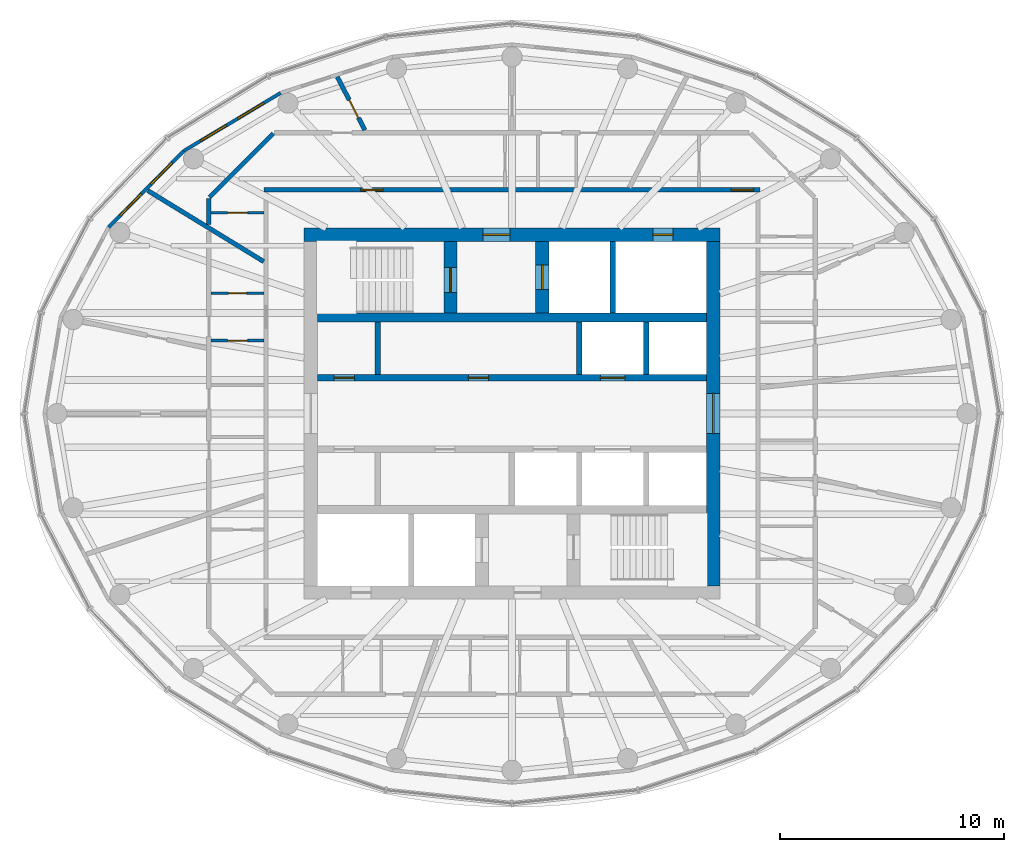
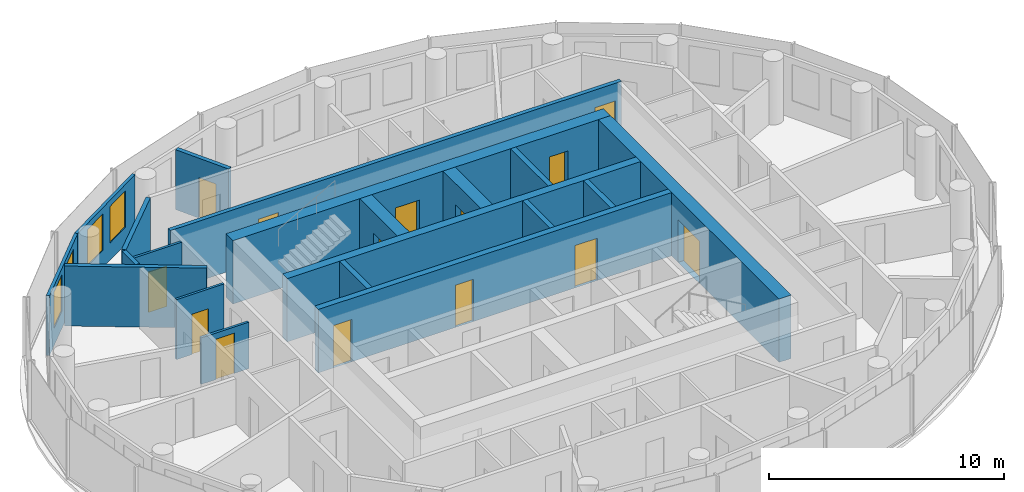
# One storey, part 7 of 11: 20 walls, 14 doors, 4 windows, 18 openings.
"""IFC4 building model written with IfcOpenShell, lengths in metres."""

from ifc_helpers import new_model, si_unit, direction, frame, frame_2d, origin, place, context, subcontext, project, spatial, rectangle, extrude, material, layer, layer_set, type_object, element, fill, save


model = new_model("IFC4")

# Units and contexts
model_context = context("Model", 3, precision=1e-05, world=origin(), true_north=direction((0.0, 1.0)))
body_context = subcontext(model_context, "Body", "Model", "MODEL_VIEW")
ifc_project = project(units=[si_unit("LENGTHUNIT", "METRE"), si_unit("AREAUNIT", "SQUARE_METRE"), si_unit("VOLUMEUNIT", "CUBIC_METRE"), si_unit("PLANEANGLEUNIT", "RADIAN"), si_unit("MASSUNIT", "GRAM", prefix="KILO")], contexts=[model_context])

# Site, building, storey
site_placement = place(None, origin())
site = spatial("IfcSite", under=ifc_project, at=site_placement, CompositionType="ELEMENT")
building_placement = place(site_placement, origin())
building = spatial("IfcBuilding", under=site, at=building_placement, Name="Hankou Lantern Tower", CompositionType="ELEMENT")
storey_placement = place(building_placement, frame((0.0, 0.0, 209.39990234375)))
storey = spatial("IfcBuildingStorey", under=building, at=storey_placement, Name="L56", CompositionType="ELEMENT", Elevation=209.39990234375)

# Wall, openings, doors
ifc_material_1 = material(Name="Concrete C60", Category="concrete")
ifc_layer_1 = layer(ifc_material_1, 0.60009765625)
ifc_layer_set_1 = layer_set([ifc_layer_1], Name="Concrete C60")
wall_type_1 = type_object("IfcWallType", Name="CW3 CORE WALL 600", PredefinedType="SHEAR", material=ifc_layer_set_1)
wall_1_placement = place(storey_placement, frame((-9.300048828125, 8.0, 0.0), z_axis=(0.0, 0.0, 1.0), x_axis=(1.0, 0.0, 0.0)))
wall_1 = element("IfcWall", 1, at=wall_1_placement, inside=storey, type_object=wall_type_1, Name="Core wall north L56", PredefinedType="SHEAR", context=body_context, shape_type="SweptSolid", body=[
    extrude(rectangle(XDim=18.60009765625, YDim=0.60009765625, at=frame_2d((9.300048828125, 0.0))), origin(), (0.0, 0.0, 1.0), 3.300048828125),
])
opening_1_placement = place(wall_1_placement, frame((8.0, 0.0, 0.0)))
opening_1 = element("IfcOpeningElement", 2, at=opening_1_placement, cuts=wall_1, Name="Opening D5", PredefinedType="OPENING", context=body_context, shape_type="SweptSolid", body=[
    extrude(rectangle(XDim=1.199951171875, YDim=2.199951171875, at=frame_2d((0.60009765625, 1.10009765625))), frame((0.0, 0.31005859375, 0.0), z_axis=(0.0, -1.0, 0.0), x_axis=(1.0, 0.0, 0.0)), (0.0, 0.0, 1.0), 0.6201171875),
])
opening_2_placement = place(wall_1_placement, frame((15.60009765625, 0.0, 0.0)))
opening_2 = element("IfcOpeningElement", 3, at=opening_2_placement, cuts=wall_1, Name="Opening D7", PredefinedType="OPENING", context=body_context, shape_type="SweptSolid", body=[
    extrude(rectangle(XDim=0.89990234375, YDim=2.199951171875, at=frame_2d((0.449951171875, 1.10009765625))), frame((0.0, 0.31005859375, 0.0), z_axis=(0.0, -1.0, 0.0), x_axis=(1.0, 0.0, 0.0)), (0.0, 0.0, 1.0), 0.6201171875),
])
ifc_material_2 = material(Name="Steel door leaf", Category="steel")
door_type_1 = type_object("IfcDoorType", Name="D5 STAIR LOBBY DOOR 1200X2200", OperationType="SINGLE_SWING_LEFT", PredefinedType="DOOR", material=ifc_material_2)
door_1_placement = place(opening_1_placement, origin())
door_1 = element("IfcDoor", 4, at=door_1_placement, inside=storey, type_object=door_type_1, Name="Stair A lobby door", OperationType="SINGLE_SWING_LEFT", OverallHeight=2.199951171875, OverallWidth=1.199951171875, PredefinedType="DOOR", context=body_context, shape_type="SweptSolid", body=[
    extrude(rectangle(XDim=1.199951171875, YDim=2.199951171875, at=frame_2d((0.60009765625, 1.10009765625))), frame((0.0, 0.02490234375, 0.0), z_axis=(0.0, -1.0, 0.0), x_axis=(1.0, 0.0, 0.0)), (0.0, 0.0, 1.0), 0.050048828125),
])
fill(opening_1, door_1)
ifc_material_3 = material(Name="Steel door leaf", Category="steel")
door_type_2 = type_object("IfcDoorType", Name="D7 RISER DOOR 900X2200", OperationType="SINGLE_SWING_LEFT", PredefinedType="DOOR", material=ifc_material_3)
door_2_placement = place(opening_2_placement, origin())
door_2 = element("IfcDoor", 5, at=door_2_placement, inside=storey, type_object=door_type_2, Name="Riser N1 door", OperationType="SINGLE_SWING_RIGHT", OverallHeight=2.199951171875, OverallWidth=0.89990234375, PredefinedType="DOOR", context=body_context, shape_type="SweptSolid", body=[
    extrude(rectangle(XDim=0.89990234375, YDim=2.199951171875, at=frame_2d((0.449951171875, 1.10009765625))), frame((0.0, 0.02490234375, 0.0), z_axis=(0.0, -1.0, 0.0), x_axis=(1.0, 0.0, 0.0)), (0.0, 0.0, 1.0), 0.050048828125),
])
fill(opening_2, door_2)

# Wall, opening, door
wall_2_placement = place(storey_placement, frame((9.0, -7.699951171875, 0.0), z_axis=(0.0, 0.0, 1.0), x_axis=(0.0, 1.0, 0.0)))
wall_2 = element("IfcWall", 6, at=wall_2_placement, inside=storey, type_object=wall_type_1, Name="Core wall east L56", PredefinedType="SHEAR", context=body_context, shape_type="SweptSolid", body=[
    extrude(rectangle(XDim=15.39990234375, YDim=0.60009765625, at=frame_2d((7.699951171875, 0.0))), origin(), (0.0, 0.0, 1.0), 3.300048828125),
])
opening_3_placement = place(wall_2_placement, frame((6.800048828125, 0.0, 0.0)))
opening_3 = element("IfcOpeningElement", 7, at=opening_3_placement, cuts=wall_2, Name="Opening D6", PredefinedType="OPENING", context=body_context, shape_type="SweptSolid", body=[
    extrude(rectangle(XDim=1.800048828125, YDim=2.199951171875, at=frame_2d((0.89990234375, 1.10009765625))), frame((0.0, 0.31005859375, 0.0), z_axis=(0.0, -1.0, 0.0), x_axis=(1.0, 0.0, 0.0)), (0.0, 0.0, 1.0), 0.6201171875),
])
ifc_material_4 = material(Name="Steel door leaf", Category="steel")
door_type_3 = type_object("IfcDoorType", Name="D6 LIFT LOBBY DOOR 1800X2200", OperationType="DOUBLE_DOOR_DOUBLE_SWING", PredefinedType="DOOR", material=ifc_material_4)
door_3_placement = place(opening_3_placement, origin())
door_3 = element("IfcDoor", 8, at=door_3_placement, inside=storey, type_object=door_type_3, Name="Lift lobby east door", OperationType="DOUBLE_DOOR_DOUBLE_SWING", OverallHeight=2.199951171875, OverallWidth=1.800048828125, PredefinedType="DOOR", context=body_context, shape_type="SweptSolid", body=[
    extrude(rectangle(XDim=1.800048828125, YDim=2.199951171875, at=frame_2d((0.89990234375, 1.10009765625))), frame((0.0, 0.02490234375, 0.0), z_axis=(0.0, -1.0, 0.0), x_axis=(1.0, 0.0, 0.0)), (0.0, 0.0, 1.0), 0.050048828125),
])
fill(opening_3, door_3)

# Wall
ifc_material_5 = material(Name="Concrete C60", Category="concrete")
ifc_layer_2 = layer(ifc_material_5, 0.39990234375)
ifc_layer_set_2 = layer_set([ifc_layer_2], Name="Concrete C60")
wall_type_2 = type_object("IfcWallType", Name="CW4 CORE CROSS WALL 400", PredefinedType="SHEAR", material=ifc_layer_set_2)
wall_3_placement = place(storey_placement, frame((-8.699951171875, 4.300048828125, 0.0), z_axis=(0.0, 0.0, 1.0), x_axis=(1.0, 0.0, 0.0)))
element("IfcWall", 9, at=wall_3_placement, inside=storey, type_object=wall_type_2, Name="Core band wall north L56", PredefinedType="SHEAR", context=body_context, shape_type="SweptSolid", body=[
    extrude(rectangle(XDim=17.39990234375, YDim=0.39990234375, at=frame_2d((8.699951171875, 0.0))), origin(), (0.0, 0.0, 1.0), 3.300048828125),
])

# Wall, openings, doors
ifc_material_6 = material(Name="Concrete C60", Category="concrete")
ifc_layer_3 = layer(ifc_material_6, 0.300048828125)
ifc_layer_set_3 = layer_set([ifc_layer_3], Name="Concrete C60")
wall_type_3 = type_object("IfcWallType", Name="CW5 LIFT LOBBY WALL 300", PredefinedType="SHEAR", material=ifc_layer_set_3)
wall_4_placement = place(storey_placement, frame((-8.699951171875, 1.60009765625, 0.0), z_axis=(0.0, 0.0, 1.0), x_axis=(1.0, 0.0, 0.0)))
wall_4 = element("IfcWall", 10, at=wall_4_placement, inside=storey, type_object=wall_type_3, Name="Lift lobby wall north L56", PredefinedType="SHEAR", context=body_context, shape_type="SweptSolid", body=[
    extrude(rectangle(XDim=17.39990234375, YDim=0.300048828125, at=frame_2d((8.699951171875, 0.0))), origin(), (0.0, 0.0, 1.0), 3.300048828125),
])
opening_4_placement = place(wall_4_placement, frame((12.64990234375, 0.0, 0.0)))
opening_4 = element("IfcOpeningElement", 11, at=opening_4_placement, cuts=wall_4, Name="Opening LD1", PredefinedType="OPENING", context=body_context, shape_type="SweptSolid", body=[
    extrude(rectangle(XDim=1.10009765625, YDim=2.199951171875, at=frame_2d((0.550048828125, 1.10009765625))), frame((0.0, 0.159912109375, 0.0), z_axis=(0.0, -1.0, 0.0), x_axis=(1.0, 0.0, 0.0)), (0.0, 0.0, 1.0), 0.320068359375),
])
opening_5_placement = place(wall_4_placement, frame((0.75, 0.0, 0.0)))
opening_5 = element("IfcOpeningElement", 12, at=opening_5_placement, cuts=wall_4, Name="Opening D30", PredefinedType="OPENING", context=body_context, shape_type="SweptSolid", body=[
    extrude(rectangle(XDim=0.89990234375, YDim=2.199951171875, at=frame_2d((0.449951171875, 1.10009765625))), frame((0.0, 0.159912109375, 0.0), z_axis=(0.0, -1.0, 0.0), x_axis=(1.0, 0.0, 0.0)), (0.0, 0.0, 1.0), 0.320068359375),
])
opening_6_placement = place(wall_4_placement, frame((6.75, 0.0, 0.0)))
opening_6 = element("IfcOpeningElement", 13, at=opening_6_placement, cuts=wall_4, Name="Opening D30", PredefinedType="OPENING", context=body_context, shape_type="SweptSolid", body=[
    extrude(rectangle(XDim=0.89990234375, YDim=2.199951171875, at=frame_2d((0.449951171875, 1.10009765625))), frame((0.0, 0.159912109375, 0.0), z_axis=(0.0, -1.0, 0.0), x_axis=(1.0, 0.0, 0.0)), (0.0, 0.0, 1.0), 0.320068359375),
])
ifc_material_7 = material(Name="Steel door leaf", Category="steel")
door_type_4 = type_object("IfcDoorType", Name="D30 CORE ROOM DOOR 900X2200", OperationType="SINGLE_SWING_LEFT", PredefinedType="DOOR", material=ifc_material_7)
door_4_placement = place(opening_5_placement, origin())
door_4 = element("IfcDoor", 14, at=door_4_placement, inside=storey, type_object=door_type_4, Name="Engineering store door", OperationType="SINGLE_SWING_LEFT", OverallHeight=2.199951171875, OverallWidth=0.89990234375, PredefinedType="DOOR", context=body_context, shape_type="SweptSolid", body=[
    extrude(rectangle(XDim=0.89990234375, YDim=2.199951171875, at=frame_2d((0.449951171875, 1.10009765625))), frame((0.0, 0.02490234375, 0.0), z_axis=(0.0, -1.0, 0.0), x_axis=(1.0, 0.0, 0.0)), (0.0, 0.0, 1.0), 0.050048828125),
])
fill(opening_5, door_4)
door_5_placement = place(opening_6_placement, origin())
door_5 = element("IfcDoor", 15, at=door_5_placement, inside=storey, type_object=door_type_4, Name="Housekeeping and linen store door", OperationType="SINGLE_SWING_LEFT", OverallHeight=2.199951171875, OverallWidth=0.89990234375, PredefinedType="DOOR", context=body_context, shape_type="SweptSolid", body=[
    extrude(rectangle(XDim=0.89990234375, YDim=2.199951171875, at=frame_2d((0.449951171875, 1.10009765625))), frame((0.0, 0.02490234375, 0.0), z_axis=(0.0, -1.0, 0.0), x_axis=(1.0, 0.0, 0.0)), (0.0, 0.0, 1.0), 0.050048828125),
])
fill(opening_6, door_5)
ifc_material_8 = material(Name="Steel door leaf", Category="steel")
door_type_5 = type_object("IfcDoorType", Name="LD1 LIFT LANDING DOOR 1100X2200", OperationType="DOUBLE_DOOR_SLIDING", PredefinedType="DOOR", material=ifc_material_8)
door_6_placement = place(opening_4_placement, origin())
door_6 = element("IfcDoor", 16, at=door_6_placement, inside=storey, type_object=door_type_5, Name="Lift T1 landing door", OperationType="DOUBLE_DOOR_SLIDING", OverallHeight=2.199951171875, OverallWidth=1.10009765625, PredefinedType="DOOR", context=body_context, shape_type="SweptSolid", body=[
    extrude(rectangle(XDim=1.10009765625, YDim=2.199951171875, at=frame_2d((0.550048828125, 1.10009765625))), frame((0.0, 0.02490234375, 0.0), z_axis=(0.0, -1.0, 0.0), x_axis=(1.0, 0.0, 0.0)), (0.0, 0.0, 1.0), 0.050048828125),
])
fill(opening_4, door_6)

# Wall, opening, door
ifc_material_9 = material(Name="Concrete C60", Category="concrete")
ifc_layer_4 = layer(ifc_material_9, 0.60009765625)
ifc_layer_set_4 = layer_set([ifc_layer_4], Name="Concrete C60")
wall_type_4 = type_object("IfcWallType", Name="CW6 STAIR AND SHAFT WALL 600", PredefinedType="SHEAR", material=ifc_layer_set_4)
wall_5_placement = place(storey_placement, frame((-2.75, 4.5, 0.0), z_axis=(0.0, 0.0, 1.0), x_axis=(0.0, 1.0, 0.0)))
wall_5 = element("IfcWall", 17, at=wall_5_placement, inside=storey, type_object=wall_type_4, Name="Stair wall L56", PredefinedType="SHEAR", context=body_context, shape_type="SweptSolid", body=[
    extrude(rectangle(XDim=3.199951171875, YDim=0.60009765625, at=frame_2d((1.60009765625, 0.0))), origin(), (0.0, 0.0, 1.0), 3.300048828125),
])
opening_7_placement = place(wall_5_placement, frame((0.925048828125, 0.0, 0.0)))
opening_7 = element("IfcOpeningElement", 18, at=opening_7_placement, cuts=wall_5, Name="Opening D4", PredefinedType="OPENING", context=body_context, shape_type="SweptSolid", body=[
    extrude(rectangle(XDim=1.10009765625, YDim=2.199951171875, at=frame_2d((0.550048828125, 1.10009765625))), frame((0.0, 0.31005859375, 0.0), z_axis=(0.0, -1.0, 0.0), x_axis=(1.0, 0.0, 0.0)), (0.0, 0.0, 1.0), 0.6201171875),
])
ifc_material_10 = material(Name="Steel door leaf", Category="steel")
door_type_6 = type_object("IfcDoorType", Name="D4 STAIR DOOR 1100X2200", OperationType="SINGLE_SWING_LEFT", PredefinedType="DOOR", material=ifc_material_10)
door_7_placement = place(opening_7_placement, origin())
door_7 = element("IfcDoor", 19, at=door_7_placement, inside=storey, type_object=door_type_6, Name="Stair A door", OperationType="SINGLE_SWING_LEFT", OverallHeight=2.199951171875, OverallWidth=1.10009765625, PredefinedType="DOOR", context=body_context, shape_type="SweptSolid", body=[
    extrude(rectangle(XDim=1.10009765625, YDim=2.199951171875, at=frame_2d((0.550048828125, 1.10009765625))), frame((0.0, 0.02490234375, 0.0), z_axis=(0.0, -1.0, 0.0), x_axis=(1.0, 0.0, 0.0)), (0.0, 0.0, 1.0), 0.050048828125),
])
fill(opening_7, door_7)

wall_6_placement = place(storey_placement, frame((1.35009765625, 4.5, 0.0), z_axis=(0.0, 0.0, 1.0), x_axis=(0.0, 1.0, 0.0)))
wall_6 = element("IfcWall", 20, at=wall_6_placement, inside=storey, type_object=wall_type_4, Name="Firefighting lift shaft wall L56", PredefinedType="SHEAR", context=body_context, shape_type="SweptSolid", body=[
    extrude(rectangle(XDim=3.199951171875, YDim=0.60009765625, at=frame_2d((1.60009765625, 0.0))), origin(), (0.0, 0.0, 1.0), 3.300048828125),
])
opening_8_placement = place(wall_6_placement, frame((1.050048828125, 0.0, 0.0)))
opening_8 = element("IfcOpeningElement", 21, at=opening_8_placement, cuts=wall_6, Name="Opening LD2", PredefinedType="OPENING", context=body_context, shape_type="SweptSolid", body=[
    extrude(rectangle(XDim=1.10009765625, YDim=2.199951171875, at=frame_2d((0.550048828125, 1.10009765625))), frame((0.0, 0.31005859375, 0.0), z_axis=(0.0, -1.0, 0.0), x_axis=(1.0, 0.0, 0.0)), (0.0, 0.0, 1.0), 0.6201171875),
])
ifc_material_11 = material(Name="Steel door leaf", Category="steel")
door_type_7 = type_object("IfcDoorType", Name="LD2 FIREFIGHTING LIFT LANDING DOOR 1100X2200", OperationType="DOUBLE_DOOR_SLIDING", PredefinedType="DOOR", material=ifc_material_11)
door_8_placement = place(opening_8_placement, origin())
door_8 = element("IfcDoor", 22, at=door_8_placement, inside=storey, type_object=door_type_7, Name="Firefighting lift FL1 landing door", OperationType="DOUBLE_DOOR_SLIDING", OverallHeight=2.199951171875, OverallWidth=1.10009765625, PredefinedType="DOOR", context=body_context, shape_type="SweptSolid", body=[
    extrude(rectangle(XDim=1.10009765625, YDim=2.199951171875, at=frame_2d((0.550048828125, 1.10009765625))), frame((0.0, 0.02490234375, 0.0), z_axis=(0.0, -1.0, 0.0), x_axis=(1.0, 0.0, 0.0)), (0.0, 0.0, 1.0), 0.050048828125),
])
fill(opening_8, door_8)

# Wall, openings, windows
ifc_material_12 = material(Name="Aluminium spandrel panel on steel studs", Category="steel")
ifc_layer_5 = layer(ifc_material_12, 0.14990234375)
ifc_layer_set_5 = layer_set([ifc_layer_5], Name="Aluminium spandrel panel on steel studs")
wall_type_5 = type_object("IfcWallType", Name="EW1 INNER SKIN WALL 150", PredefinedType="ELEMENTEDWALL", material=ifc_layer_set_5)
wall_7_placement = place(storey_placement, frame((-10.346435546875, 14.33642578125, 0.0), z_axis=(0.0, 0.0, 1.0), x_axis=(-0.85822150553, -0.513279502265, 0.0)))
wall_7 = element("IfcWall", 23, at=wall_7_placement, inside=storey, type_object=wall_type_5, Name="Inner skin R09-R10 L56", PredefinedType="ELEMENTEDWALL", context=body_context, shape_type="SweptSolid", body=[
    extrude(rectangle(XDim=5.050048828125, YDim=0.14990234375, at=frame_2d((2.52490234375, 0.0))), origin(), (0.0, 0.0, 1.0), 3.1201171875),
])
opening_9_placement = place(wall_7_placement, frame((0.875, 0.0, 0.89990234375)))
opening_9 = element("IfcOpeningElement", 24, at=opening_9_placement, cuts=wall_7, Name="Opening W4", PredefinedType="OPENING", context=body_context, shape_type="SweptSolid", body=[
    extrude(rectangle(XDim=1.35009765625, YDim=1.89990234375, at=frame_2d((0.675048828125, 0.949951171875))), frame((0.0, 0.0849609375, 0.0), z_axis=(0.0, -1.0, 0.0), x_axis=(1.0, 0.0, 0.0)), (0.0, 0.0, 1.0), 0.169921875),
])
opening_10_placement = place(wall_7_placement, frame((2.824951171875, 0.0, 0.89990234375)))
opening_10 = element("IfcOpeningElement", 25, at=opening_10_placement, cuts=wall_7, Name="Opening W4", PredefinedType="OPENING", context=body_context, shape_type="SweptSolid", body=[
    extrude(rectangle(XDim=1.35009765625, YDim=1.89990234375, at=frame_2d((0.675048828125, 0.949951171875))), frame((0.0, 0.0849609375, 0.0), z_axis=(0.0, -1.0, 0.0), x_axis=(1.0, 0.0, 0.0)), (0.0, 0.0, 1.0), 0.169921875),
])
ifc_material_13 = material(Name="Aluminium framed double glazed window", Category="aluminium")
window_type = type_object("IfcWindowType", Name="W4 SUITE WINDOW 1350X1900", PartitioningType="DOUBLE_PANEL_VERTICAL", PredefinedType="WINDOW", material=ifc_material_13)
window_1_placement = place(opening_9_placement, origin())
window_1 = element("IfcWindow", 26, at=window_1_placement, inside=storey, type_object=window_type, Name="Window R09.1 L56", OverallHeight=1.89990234375, OverallWidth=1.35009765625, PartitioningType="SINGLE_PANEL", PredefinedType="WINDOW", context=body_context, shape_type="SweptSolid", body=[
    extrude(rectangle(XDim=1.35009765625, YDim=1.89990234375, at=frame_2d((0.675048828125, 0.949951171875))), frame((0.0, 0.030029296875, 0.0), z_axis=(0.0, -1.0, 0.0), x_axis=(1.0, 0.0, 0.0)), (0.0, 0.0, 1.0), 0.06005859375),
])
fill(opening_9, window_1)
window_2_placement = place(opening_10_placement, origin())
window_2 = element("IfcWindow", 27, at=window_2_placement, inside=storey, type_object=window_type, Name="Window R09.2 L56", OverallHeight=1.89990234375, OverallWidth=1.35009765625, PartitioningType="SINGLE_PANEL", PredefinedType="WINDOW", context=body_context, shape_type="SweptSolid", body=[
    extrude(rectangle(XDim=1.35009765625, YDim=1.89990234375, at=frame_2d((0.675048828125, 0.949951171875))), frame((0.0, 0.030029296875, 0.0), z_axis=(0.0, -1.0, 0.0), x_axis=(1.0, 0.0, 0.0)), (0.0, 0.0, 1.0), 0.06005859375),
])
fill(opening_10, window_2)

wall_8_placement = place(storey_placement, frame((-14.680419921875, 11.744384765625, 0.0), z_axis=(0.0, 0.0, 1.0), x_axis=(-0.701527379618, -0.712642501993, 0.0)))
wall_8 = element("IfcWall", 28, at=wall_8_placement, inside=storey, type_object=wall_type_5, Name="Inner skin R10-R11 L56", PredefinedType="ELEMENTEDWALL", context=body_context, shape_type="SweptSolid", body=[
    extrude(rectangle(XDim=4.788330078125, YDim=0.14990234375, at=frame_2d((2.39404296875, 0.0))), origin(), (0.0, 0.0, 1.0), 3.1201171875),
])
opening_11_placement = place(wall_8_placement, frame((0.744140625, 0.0, 0.89990234375)))
opening_11 = element("IfcOpeningElement", 29, at=opening_11_placement, cuts=wall_8, Name="Opening W4", PredefinedType="OPENING", context=body_context, shape_type="SweptSolid", body=[
    extrude(rectangle(XDim=1.35009765625, YDim=1.89990234375, at=frame_2d((0.675048828125, 0.949951171875))), frame((0.0, 0.0849609375, 0.0), z_axis=(0.0, -1.0, 0.0), x_axis=(1.0, 0.0, 0.0)), (0.0, 0.0, 1.0), 0.169921875),
])
opening_12_placement = place(wall_8_placement, frame((2.694091796875, 0.0, 0.89990234375)))
opening_12 = element("IfcOpeningElement", 30, at=opening_12_placement, cuts=wall_8, Name="Opening W4", PredefinedType="OPENING", context=body_context, shape_type="SweptSolid", body=[
    extrude(rectangle(XDim=1.35009765625, YDim=1.89990234375, at=frame_2d((0.675048828125, 0.949951171875))), frame((0.0, 0.0849609375, 0.0), z_axis=(0.0, -1.0, 0.0), x_axis=(1.0, 0.0, 0.0)), (0.0, 0.0, 1.0), 0.169921875),
])
window_3_placement = place(opening_11_placement, origin())
window_3 = element("IfcWindow", 31, at=window_3_placement, inside=storey, type_object=window_type, Name="Window R10.1 L56", OverallHeight=1.89990234375, OverallWidth=1.35009765625, PartitioningType="SINGLE_PANEL", PredefinedType="WINDOW", context=body_context, shape_type="SweptSolid", body=[
    extrude(rectangle(XDim=1.35009765625, YDim=1.89990234375, at=frame_2d((0.675048828125, 0.949951171875))), frame((0.0, 0.030029296875, 0.0), z_axis=(0.0, -1.0, 0.0), x_axis=(1.0, 0.0, 0.0)), (0.0, 0.0, 1.0), 0.06005859375),
])
fill(opening_11, window_3)
window_4_placement = place(opening_12_placement, origin())
window_4 = element("IfcWindow", 32, at=window_4_placement, inside=storey, type_object=window_type, Name="Window R10.2 L56", OverallHeight=1.89990234375, OverallWidth=1.35009765625, PartitioningType="SINGLE_PANEL", PredefinedType="WINDOW", context=body_context, shape_type="SweptSolid", body=[
    extrude(rectangle(XDim=1.35009765625, YDim=1.89990234375, at=frame_2d((0.675048828125, 0.949951171875))), frame((0.0, 0.030029296875, 0.0), z_axis=(0.0, -1.0, 0.0), x_axis=(1.0, 0.0, 0.0)), (0.0, 0.0, 1.0), 0.06005859375),
])
fill(opening_12, window_4)

# Wall
ifc_material_14 = material(Name="Masonry lightweight concrete block", Category="masonry")
ifc_layer_6 = layer(ifc_material_14, 0.199951171875)
ifc_layer_set_6 = layer_set([ifc_layer_6], Name="Masonry lightweight concrete block")
wall_type_6 = type_object("IfcWallType", Name="IW1 GUEST ROOM PARTY WALL 200", PredefinedType="PARTITIONING", material=ifc_layer_set_6)
wall_9_placement = place(storey_placement, frame((-11.10009765625, 6.79736328125, 0.0), z_axis=(0.0, 0.0, 1.0), x_axis=(-0.852799818179, 0.522237943963, 0.0)))
element("IfcWall", 33, at=wall_9_placement, inside=storey, type_object=wall_type_6, Name="Party wall R10-R11", PredefinedType="PARTITIONING", context=body_context, shape_type="SweptSolid", body=[
    extrude(rectangle(XDim=6.076904296875, YDim=0.199951171875, at=frame_2d((3.03857421875, 0.0))), origin(), (0.0, 0.0, 1.0), 3.1201171875),
])

# Wall, openings, doors
ifc_material_15 = material(Name="Masonry lightweight concrete block", Category="masonry")
ifc_layer_7 = layer(ifc_material_15, 0.199951171875)
ifc_layer_set_7 = layer_set([ifc_layer_7], Name="Masonry lightweight concrete block")
wall_type_7 = type_object("IfcWallType", Name="IW2 CORRIDOR WALL 200", PredefinedType="PARTITIONING", material=ifc_layer_set_7)
wall_10_placement = place(storey_placement, frame((-11.10009765625, 10.0, 0.0), z_axis=(0.0, 0.0, 1.0), x_axis=(1.0, 0.0, 0.0)))
wall_10 = element("IfcWall", 34, at=wall_10_placement, inside=storey, type_object=wall_type_7, Name="Corridor wall north", PredefinedType="PARTITIONING", context=body_context, shape_type="SweptSolid", body=[
    extrude(rectangle(XDim=22.2001953125, YDim=0.199951171875, at=frame_2d((11.10009765625, 0.0))), origin(), (0.0, 0.0, 1.0), 3.1201171875),
])
opening_13_placement = place(wall_10_placement, frame((20.89990234375, 0.0, 0.0)))
opening_13 = element("IfcOpeningElement", 35, at=opening_13_placement, cuts=wall_10, Name="Opening D2", PredefinedType="OPENING", context=body_context, shape_type="SweptSolid", body=[
    extrude(rectangle(XDim=1.0, YDim=2.199951171875, at=frame_2d((0.5, 1.10009765625))), frame((0.0, 0.10986328125, 0.0), z_axis=(0.0, -1.0, 0.0), x_axis=(1.0, 0.0, 0.0)), (0.0, 0.0, 1.0), 0.219970703125),
])
opening_14_placement = place(wall_10_placement, frame((4.328857421875, 0.0, 0.0)))
opening_14 = element("IfcOpeningElement", 36, at=opening_14_placement, cuts=wall_10, Name="Opening D2", PredefinedType="OPENING", context=body_context, shape_type="SweptSolid", body=[
    extrude(rectangle(XDim=1.0, YDim=2.199951171875, at=frame_2d((0.5, 1.10009765625))), frame((0.0, 0.10986328125, 0.0), z_axis=(0.0, -1.0, 0.0), x_axis=(1.0, 0.0, 0.0)), (0.0, 0.0, 1.0), 0.219970703125),
])
ifc_material_16 = material(Name="Steel door leaf", Category="steel")
door_type_8 = type_object("IfcDoorType", Name="D2 SUITE DOOR 1000X2200", OperationType="SINGLE_SWING_LEFT", PredefinedType="DOOR", material=ifc_material_16)
door_9_placement = place(opening_13_placement, origin())
door_9 = element("IfcDoor", 37, at=door_9_placement, inside=storey, type_object=door_type_8, Name="Suite door 5601", OperationType="SINGLE_SWING_LEFT", OverallHeight=2.199951171875, OverallWidth=1.0, PredefinedType="DOOR", context=body_context, shape_type="SweptSolid", body=[
    extrude(rectangle(XDim=1.0, YDim=2.199951171875, at=frame_2d((0.5, 1.10009765625))), frame((0.0, 0.02490234375, 0.0), z_axis=(0.0, -1.0, 0.0), x_axis=(1.0, 0.0, 0.0)), (0.0, 0.0, 1.0), 0.050048828125),
])
fill(opening_13, door_9)
door_10_placement = place(opening_14_placement, origin())
door_10 = element("IfcDoor", 38, at=door_10_placement, inside=storey, type_object=door_type_8, Name="Suite door 5602", OperationType="SINGLE_SWING_RIGHT", OverallHeight=2.199951171875, OverallWidth=1.0, PredefinedType="DOOR", context=body_context, shape_type="SweptSolid", body=[
    extrude(rectangle(XDim=1.0, YDim=2.199951171875, at=frame_2d((0.5, 1.10009765625))), frame((0.0, 0.02490234375, 0.0), z_axis=(0.0, -1.0, 0.0), x_axis=(1.0, 0.0, 0.0)), (0.0, 0.0, 1.0), 0.050048828125),
])
fill(opening_14, door_10)

# Wall, opening, door
ifc_material_17 = material(Name="Masonry lightweight concrete block", Category="masonry")
ifc_layer_8 = layer(ifc_material_17, 0.1201171875)
ifc_layer_set_8 = layer_set([ifc_layer_8], Name="Masonry lightweight concrete block")
wall_type_8 = type_object("IfcWallType", Name="IW3 BATHROOM WALL 120", PredefinedType="PARTITIONING", material=ifc_layer_set_8)
wall_11_placement = place(storey_placement, frame((-11.10009765625, 8.975830078125, 0.0), z_axis=(0.0, 0.0, 1.0), x_axis=(-1.0, 0.0, 0.0)))
wall_11 = element("IfcWall", 39, at=wall_11_placement, inside=storey, type_object=wall_type_8, Name="Box wall 5602 4", PredefinedType="PARTITIONING", context=body_context, shape_type="SweptSolid", body=[
    extrude(rectangle(XDim=2.349853515625, YDim=0.1201171875, at=frame_2d((1.1748046875, 0.0))), origin(), (0.0, 0.0, 1.0), 3.1201171875),
])
opening_15_placement = place(wall_11_placement, frame((0.719970703125, 0.0, 0.0)))
opening_15 = element("IfcOpeningElement", 40, at=opening_15_placement, cuts=wall_11, Name="Opening D27", PredefinedType="OPENING", context=body_context, shape_type="SweptSolid", body=[
    extrude(rectangle(XDim=0.89990234375, YDim=2.10009765625, at=frame_2d((0.449951171875, 1.050048828125))), frame((0.0, 0.070068359375, 0.0), z_axis=(0.0, -1.0, 0.0), x_axis=(1.0, 0.0, 0.0)), (0.0, 0.0, 1.0), 0.14013671875),
])
ifc_material_18 = material(Name="Timber door leaf", Category="wood")
door_type_9 = type_object("IfcDoorType", Name="D27 INTERNAL DOOR 900X2100", OperationType="SINGLE_SWING_LEFT", PredefinedType="DOOR", material=ifc_material_18)
door_11_placement = place(opening_15_placement, origin())
door_11 = element("IfcDoor", 41, at=door_11_placement, inside=storey, type_object=door_type_9, Name="Corner suite 5602 pantry door", OperationType="SINGLE_SWING_LEFT", OverallHeight=2.10009765625, OverallWidth=0.89990234375, PredefinedType="DOOR", context=body_context, shape_type="SweptSolid", body=[
    extrude(rectangle(XDim=0.89990234375, YDim=2.10009765625, at=frame_2d((0.449951171875, 1.050048828125))), frame((0.0, 0.02490234375, 0.0), z_axis=(0.0, -1.0, 0.0), x_axis=(1.0, 0.0, 0.0)), (0.0, 0.0, 1.0), 0.050048828125),
])
fill(opening_15, door_11)

wall_12_placement = place(storey_placement, frame((-11.10009765625, 5.38525390625, 0.0), z_axis=(0.0, 0.0, 1.0), x_axis=(-1.0, 0.0, 0.0)))
wall_12 = element("IfcWall", 42, at=wall_12_placement, inside=storey, type_object=wall_type_8, Name="Box wall 5603 1", PredefinedType="PARTITIONING", context=body_context, shape_type="SweptSolid", body=[
    extrude(rectangle(XDim=2.349853515625, YDim=0.1201171875, at=frame_2d((1.1748046875, 0.0))), origin(), (0.0, 0.0, 1.0), 3.1201171875),
])
opening_16_placement = place(wall_12_placement, frame((0.77001953125, 0.0, 0.0)))
opening_16 = element("IfcOpeningElement", 43, at=opening_16_placement, cuts=wall_12, Name="Opening D3", PredefinedType="OPENING", context=body_context, shape_type="SweptSolid", body=[
    extrude(rectangle(XDim=0.800048828125, YDim=2.10009765625, at=frame_2d((0.39990234375, 1.050048828125))), frame((0.0, 0.070068359375, 0.0), z_axis=(0.0, -1.0, 0.0), x_axis=(1.0, 0.0, 0.0)), (0.0, 0.0, 1.0), 0.14013671875),
])
ifc_material_19 = material(Name="Timber door leaf", Category="wood")
door_type_10 = type_object("IfcDoorType", Name="D3 BATHROOM DOOR 800X2100", OperationType="SINGLE_SWING_LEFT", PredefinedType="DOOR", material=ifc_material_19)
door_12_placement = place(opening_16_placement, origin())
door_12 = element("IfcDoor", 44, at=door_12_placement, inside=storey, type_object=door_type_10, Name="Corner suite 5603 guest WC door", OperationType="SINGLE_SWING_LEFT", OverallHeight=2.10009765625, OverallWidth=0.800048828125, PredefinedType="DOOR", context=body_context, shape_type="SweptSolid", body=[
    extrude(rectangle(XDim=0.800048828125, YDim=2.10009765625, at=frame_2d((0.39990234375, 1.050048828125))), frame((0.0, 0.02490234375, 0.0), z_axis=(0.0, -1.0, 0.0), x_axis=(1.0, 0.0, 0.0)), (0.0, 0.0, 1.0), 0.050048828125),
])
fill(opening_16, door_12)

wall_13_placement = place(storey_placement, frame((-11.10009765625, 3.265380859375, 0.0), z_axis=(0.0, 0.0, 1.0), x_axis=(-1.0, 0.0, 0.0)))
wall_13 = element("IfcWall", 45, at=wall_13_placement, inside=storey, type_object=wall_type_8, Name="Box wall 5603 2", PredefinedType="PARTITIONING", context=body_context, shape_type="SweptSolid", body=[
    extrude(rectangle(XDim=2.349853515625, YDim=0.1201171875, at=frame_2d((1.1748046875, 0.0))), origin(), (0.0, 0.0, 1.0), 2.420166015625),
])
opening_17_placement = place(wall_13_placement, frame((0.719970703125, 0.0, 0.0)))
opening_17 = element("IfcOpeningElement", 46, at=opening_17_placement, cuts=wall_13, Name="Opening D27", PredefinedType="OPENING", context=body_context, shape_type="SweptSolid", body=[
    extrude(rectangle(XDim=0.89990234375, YDim=2.10009765625, at=frame_2d((0.449951171875, 1.050048828125))), frame((0.0, 0.070068359375, 0.0), z_axis=(0.0, -1.0, 0.0), x_axis=(1.0, 0.0, 0.0)), (0.0, 0.0, 1.0), 0.14013671875),
])
door_13_placement = place(opening_17_placement, origin())
door_13 = element("IfcDoor", 47, at=door_13_placement, inside=storey, type_object=door_type_9, Name="Corner suite 5603 walk-in wardrobe door", OperationType="SINGLE_SWING_LEFT", OverallHeight=2.10009765625, OverallWidth=0.89990234375, PredefinedType="DOOR", context=body_context, shape_type="SweptSolid", body=[
    extrude(rectangle(XDim=0.89990234375, YDim=2.10009765625, at=frame_2d((0.449951171875, 1.050048828125))), frame((0.0, 0.02490234375, 0.0), z_axis=(0.0, -1.0, 0.0), x_axis=(1.0, 0.0, 0.0)), (0.0, 0.0, 1.0), 0.050048828125),
])
fill(opening_17, door_13)

# Walls
ifc_material_20 = material(Name="Masonry lightweight concrete block", Category="masonry")
ifc_layer_9 = layer(ifc_material_20, 0.199951171875)
ifc_layer_set_9 = layer_set([ifc_layer_9], Name="Masonry lightweight concrete block")
wall_type_9 = type_object("IfcWallType", Name="IW6 SUITE PARTITION 200", PredefinedType="PARTITIONING", material=ifc_layer_set_9)
wall_14_placement = place(storey_placement, frame((-10.67919921875, 12.520751953125, 0.0), z_axis=(0.0, 0.0, 1.0), x_axis=(-0.707106781187, -0.707106781187, 0.0)))
element("IfcWall", 48, at=wall_14_placement, inside=storey, type_object=wall_type_9, Name="Suite foyer wall 5602", PredefinedType="PARTITIONING", context=body_context, shape_type="SweptSolid", body=[
    extrude(rectangle(XDim=4.0185546875, YDim=0.199951171875, at=frame_2d((2.00927734375, 0.0))), origin(), (0.0, 0.0, 1.0), 3.1201171875),
])
wall_15_placement = place(storey_placement, frame((-13.550048828125, 9.608642578125, 0.0), z_axis=(0.0, 0.0, 1.0), x_axis=(0.0, -1.0, 0.0)))
element("IfcWall", 49, at=wall_15_placement, inside=storey, type_object=wall_type_9, Name="Suite foyer wall 5602", PredefinedType="PARTITIONING", context=body_context, shape_type="SweptSolid", body=[
    extrude(rectangle(XDim=1.152587890625, YDim=0.199951171875, at=frame_2d((0.576171875, 0.0))), origin(), (0.0, 0.0, 1.0), 3.1201171875),
])

# Wall, opening, door
wall_16_placement = place(storey_placement, frame((-6.578125, 12.676513671875, 0.0), z_axis=(0.0, 0.0, 1.0), x_axis=(-0.460620531465, 0.887597164255, 0.0)))
wall_16 = element("IfcWall", 50, at=wall_16_placement, inside=storey, type_object=wall_type_9, Name="Suite partition R08-R09", PredefinedType="PARTITIONING", context=body_context, shape_type="SweptSolid", body=[
    extrude(rectangle(XDim=2.677734375, YDim=0.199951171875, at=frame_2d((1.3388671875, 0.0))), origin(), (0.0, 0.0, 1.0), 3.1201171875),
])
opening_18_placement = place(wall_16_placement, frame((0.6201171875, 0.0, 0.0)))
opening_18 = element("IfcOpeningElement", 51, at=opening_18_placement, cuts=wall_16, Name="Opening D27", PredefinedType="OPENING", context=body_context, shape_type="SweptSolid", body=[
    extrude(rectangle(XDim=0.89990234375, YDim=2.10009765625, at=frame_2d((0.449951171875, 1.050048828125))), frame((0.0, 0.10986328125, 0.0), z_axis=(0.0, -1.0, 0.0), x_axis=(1.0, 0.0, 0.0)), (0.0, 0.0, 1.0), 0.219970703125),
])
door_14_placement = place(opening_18_placement, origin())
door_14 = element("IfcDoor", 52, at=door_14_placement, inside=storey, type_object=door_type_9, Name="Corner suite 5602 dining room door", OperationType="SINGLE_SWING_LEFT", OverallHeight=2.10009765625, OverallWidth=0.89990234375, PredefinedType="DOOR", context=body_context, shape_type="SweptSolid", body=[
    extrude(rectangle(XDim=0.89990234375, YDim=2.10009765625, at=frame_2d((0.449951171875, 1.050048828125))), frame((0.0, 0.02490234375, 0.0), z_axis=(0.0, -1.0, 0.0), x_axis=(1.0, 0.0, 0.0)), (0.0, 0.0, 1.0), 0.050048828125),
])
fill(opening_18, door_14)

# Walls
ifc_material_21 = material(Name="Masonry autoclaved aerated concrete block", Category="masonry")
ifc_layer_10 = layer(ifc_material_21, 0.25)
ifc_layer_set_10 = layer_set([ifc_layer_10], Name="Masonry autoclaved aerated concrete block")
wall_type_10 = type_object("IfcWallType", Name="SW1 SHAFT BLOCK WALL 250", PredefinedType="PARTITIONING", material=ifc_layer_set_10)
wall_17_placement = place(storey_placement, frame((4.5, 4.5, 0.0), z_axis=(0.0, 0.0, 1.0), x_axis=(0.0, 1.0, 0.0)))
element("IfcWall", 53, at=wall_17_placement, inside=storey, type_object=wall_type_10, Name="Riser wall L56", PredefinedType="PARTITIONING", context=body_context, shape_type="SweptSolid", body=[
    extrude(rectangle(XDim=3.199951171875, YDim=0.25, at=frame_2d((1.60009765625, 0.0))), origin(), (0.0, 0.0, 1.0), 3.300048828125),
])
for number, where, z_axis, x_axis, name in (
    (54, (-6.0, 1.75, 0.0), (0.0, 0.0, 1.0), (0.0, 1.0, 0.0), "Lift shaft wall L56"),
    (55, (3.0, 1.75, 0.0), (0.0, 0.0, 1.0), (0.0, 1.0, 0.0), "Lift shaft wall L56"),
    (56, (6.0, 1.75, 0.0), (0.0, 0.0, 1.0), (0.0, 1.0, 0.0), "Lift shaft wall L56"),
):
    element("IfcWall", number, at=place(storey_placement, frame(where, z_axis=z_axis, x_axis=x_axis)), inside=storey, type_object=wall_type_10, Name=name, PredefinedType="PARTITIONING", context=body_context, shape_type="SweptSolid", body=[
        extrude(rectangle(XDim=2.35009765625, YDim=0.25, at=frame_2d((1.175048828125, 0.0))), origin(), (0.0, 0.0, 1.0), 3.300048828125),
    ])

save(model, "model.ifc")
